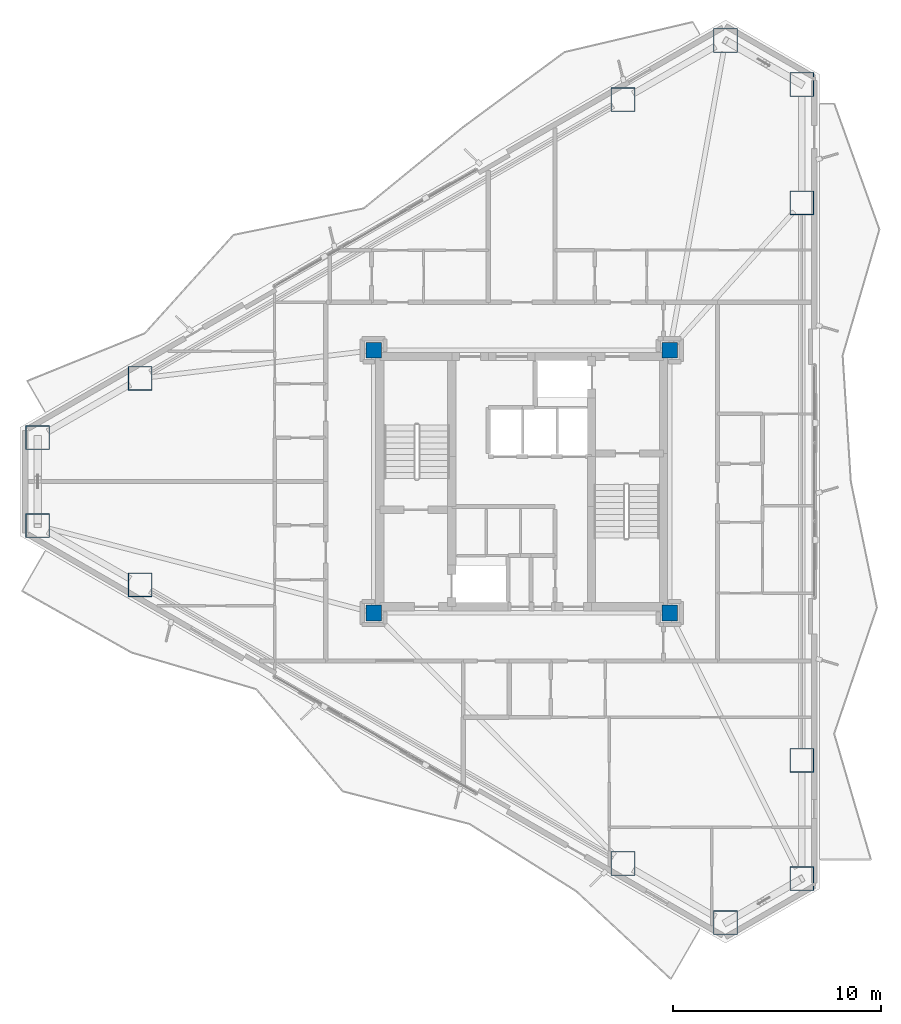
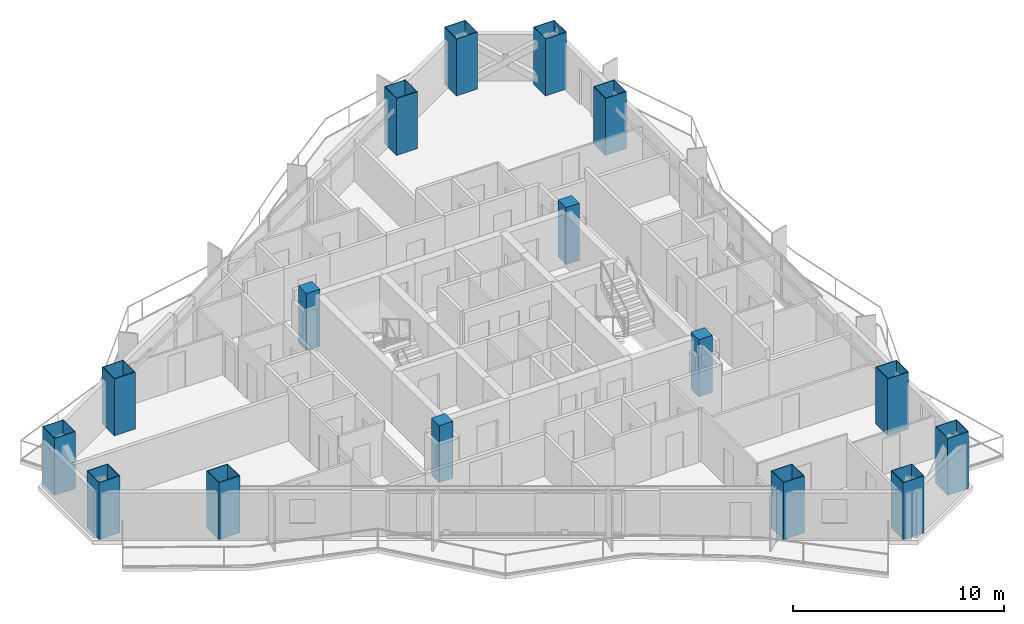
# One storey, part 1 of 22: 16 columns.
"""IFC4 building model written with IfcOpenShell, lengths in metres."""

import ifcopenshell
import ifcopenshell.guid

model = None  # the IFC model being written
_history = None  # IfcOwnerHistory: only IFC2X3 demands one
_inside = {}  # id of a spatial element -> (the spatial element, [elements in it])
_under = {}  # id of a project, library or spatial element -> (it, [spatial elements below it])
_declared = {}  # id of a project -> (the project, [libraries it declares])
_typed = {}  # id of a type object -> (the type object, [elements of that type])
_made_of = {}  # id of a material, layer set ... -> (it, [elements and type objects made of it])


def new_model(schema):
    """Start an empty IFC model of exactly this schema.

    Asked for "IFC4X3", IfcOpenShell would pick the latest addendum, in which some entities
    have other attributes; the version numbers below select the first issue.
    IFC2X3 requires an IfcOwnerHistory on every rooted entity: one is made here for all.
    """
    global model, _history
    if schema == "IFC4X3":
        model = ifcopenshell.file(schema_version=(4, 3, 0, 0))
    else:
        model = ifcopenshell.file(schema=schema)
    _inside.clear()
    _under.clear()
    _declared.clear()
    _typed.clear()
    _made_of.clear()
    _history = None
    if model.schema == "IFC2X3":
        org = make("IfcOrganization", Name="unknown")
        user = make(
            "IfcPersonAndOrganization",
            ThePerson=make("IfcPerson", FamilyName="unknown"),
            TheOrganization=org,
        )
        app = make(
            "IfcApplication",
            ApplicationDeveloper=org,
            Version="unknown",
            ApplicationFullName="unknown",
            ApplicationIdentifier="unknown",
        )
        _history = make(
            "IfcOwnerHistory",
            OwningUser=user,
            OwningApplication=app,
            ChangeAction="ADDED",
            CreationDate=0,
        )
    return model


def make(cls, **values):
    """One entity of the class cls with the attributes given. An attribute that is None is left unset."""
    return model.create_entity(
        cls, **{name: value for name, value in values.items() if value is not None}
    )


def rooted(cls, **values):
    """An entity with a GlobalId (a new one), such as an element, a storey or a relation."""
    return make(cls, GlobalId=ifcopenshell.guid.new(), OwnerHistory=_history, **values)


def si_unit(unit_type, name, prefix=None):
    """IfcSIUnit, for example si_unit("LENGTHUNIT", "METRE", prefix="MILLI")."""
    return make("IfcSIUnit", UnitType=unit_type, Prefix=prefix, Name=name)


def assignment(units):
    """IfcUnitAssignment: the units of a project."""
    return None if units is None else make("IfcUnitAssignment", Units=units)


def point(xyz):
    """IfcCartesianPoint."""
    return None if xyz is None else make("IfcCartesianPoint", Coordinates=xyz)


def direction(xyz):
    """IfcDirection."""
    return None if xyz is None else make("IfcDirection", DirectionRatios=xyz)


def frame(location, z_axis=None, x_axis=None):
    """IfcAxis2Placement3D, a coordinate frame: its origin and axes. An axis left out is left unset."""
    return make(
        "IfcAxis2Placement3D",
        Location=point(location),
        Axis=direction(z_axis),
        RefDirection=direction(x_axis),
    )


def frame_2d(location, x_axis=None):
    """IfcAxis2Placement2D, a coordinate frame in the plane: its origin and x axis."""
    return make(
        "IfcAxis2Placement2D", Location=point(location), RefDirection=direction(x_axis)
    )


def origin():
    """The frame at (0, 0, 0) with its axes left unset."""
    return frame((0.0, 0.0, 0.0))


def origin_2d():
    """The frame at (0, 0) in the plane with its x axis left unset."""
    return frame_2d((0.0, 0.0))


def place(relative_to, where):
    """IfcLocalPlacement: puts the frame where relative to a parent placement (None: the world)."""
    return make(
        "IfcLocalPlacement", PlacementRelTo=relative_to, RelativePlacement=where
    )


def context(
    kind, dimensions, precision=None, world=None, true_north=None, identifier=None
):
    """IfcGeometricRepresentationContext, for example the 3D "Model" context."""
    return make(
        "IfcGeometricRepresentationContext",
        ContextIdentifier=identifier,
        ContextType=kind,
        CoordinateSpaceDimension=dimensions,
        Precision=precision,
        WorldCoordinateSystem=world,
        TrueNorth=true_north,
    )


def subcontext(parent, identifier, kind, view, scale=None):
    """IfcGeometricRepresentationSubContext, for example "Body" below "Model"."""
    return make(
        "IfcGeometricRepresentationSubContext",
        ContextIdentifier=identifier,
        ContextType=kind,
        ParentContext=parent,
        TargetScale=scale,
        TargetView=view,
    )


def project(units=None, contexts=None):
    """IfcProject with its units and contexts."""
    return rooted(
        "IfcProject",
        Name="project",
        RepresentationContexts=contexts,
        UnitsInContext=assignment(units),
    )


def spatial(cls, under=None, at=None, **own):
    """A site, building, storey or space (cls), placed at a placement, below another one or the project."""
    s = rooted(cls, ObjectPlacement=at, **own)
    if under is not None:
        _under.setdefault(under.id(), (under, []))[1].append(s)
    return s


def profile(cls, at=None, kind="AREA", **sizes):
    """A parametric profile (cls). Its sizes go by their IFC names, for example OverallWidth=200.0."""
    return make(cls, ProfileType=kind, Position=at, **sizes)


def rectangle(**sizes):
    """IfcRectangleProfileDef."""
    return profile("IfcRectangleProfileDef", **sizes)


def hollow_rectangle(**sizes):
    """IfcRectangleHollowProfileDef."""
    return profile("IfcRectangleHollowProfileDef", **sizes)


def extrude(swept, where, along, depth):
    """IfcExtrudedAreaSolid: the profile swept, set in the frame where, extruded along a direction by depth."""
    return make(
        "IfcExtrudedAreaSolid",
        SweptArea=swept,
        Position=where,
        ExtrudedDirection=direction(along),
        Depth=depth,
    )


def shape(context_of_items, identifier, shape_type, items):
    """IfcShapeRepresentation: the items that make up one representation, for example the "Body"."""
    return make(
        "IfcShapeRepresentation",
        ContextOfItems=context_of_items,
        RepresentationIdentifier=identifier,
        RepresentationType=shape_type,
        Items=items,
    )


def material(Name=None, Category=None):
    """IfcMaterial."""
    return make("IfcMaterial", Name=Name, Category=Category)


def material_profile(
    of_material, cross_section, Name=None, Category=None, Priority=None
):
    """IfcMaterialProfile: a cross section and its material."""
    return make(
        "IfcMaterialProfile",
        Name=Name,
        Material=of_material,
        Profile=cross_section,
        Priority=Priority,
        Category=Category,
    )


def profile_set(profiles, Name=None, composite=None):
    """IfcMaterialProfileSet."""
    return make(
        "IfcMaterialProfileSet",
        Name=Name,
        MaterialProfiles=profiles,
        CompositeProfile=composite,
    )


def made_of(thing, what):
    """Note that an element or type object is made of a material, layer set ...; save() writes the relation."""
    if what is not None:
        _made_of.setdefault(what.id(), (what, []))[1].append(thing)
    return thing


def type_object(cls, material=None, **own):
    """A type object (cls), such as IfcWallType, which elements share."""
    return made_of(rooted(cls, **own), material)


def element(
    cls,
    number,
    at=None,
    inside=None,
    cuts=None,
    type_object=None,
    material=None,
    context=None,
    identifier="Body",
    shape_type=None,
    held_by="IfcProductDefinitionShape",
    body=None,
    shapes=None,
    **own,
):
    """One element of the class cls, such as IfcWall. Its Tag is "e" and its number.

    at: its placement. inside: the storey or other place that contains it. cuts: it is an
    opening in that element (IfcRelVoidsElement). A single representation is given by context,
    identifier, shape_type and body (its items); several are given by shapes. held_by: the class
    of the entity that holds the representations. save() writes the other relations.
    """
    e = rooted(cls, Tag="e%d" % number, ObjectPlacement=at, **own)
    if body is not None:
        shapes = [shape(context, identifier, shape_type, body)]
    if shapes is not None:
        e.Representation = make(held_by, Representations=shapes)
    if inside is not None:
        _inside.setdefault(inside.id(), (inside, []))[1].append(e)
    if cuts is not None:
        rooted(
            "IfcRelVoidsElement", RelatingBuildingElement=cuts, RelatedOpeningElement=e
        )
    if type_object is not None:
        _typed.setdefault(type_object.id(), (type_object, []))[1].append(e)
    return made_of(e, material)


def aggregate(whole, parts):
    """IfcRelAggregates: a whole, such as a stair, and the parts it consists of."""
    return rooted("IfcRelAggregates", RelatingObject=whole, RelatedObjects=parts)


def save(model, path):
    """Write the relations noted so far, then the file.

    IfcRelAggregates (storeys below a building ...), IfcRelContainedInSpatialStructure (elements
    in a storey), IfcRelDefinesByType, IfcRelAssociatesMaterial and IfcRelDeclares: one each for
    every whole, place, type object, material and project.
    """
    for whole, parts in _under.values():
        aggregate(whole, parts)
    for where, things in _inside.values():
        rooted(
            "IfcRelContainedInSpatialStructure",
            RelatedElements=things,
            RelatingStructure=where,
        )
    for kind, things in _typed.values():
        rooted("IfcRelDefinesByType", RelatedObjects=things, RelatingType=kind)
    for what, things in _made_of.values():
        rooted("IfcRelAssociatesMaterial", RelatedObjects=things, RelatingMaterial=what)
    for by, libraries in _declared.values():
        rooted("IfcRelDeclares", RelatingContext=by, RelatedDefinitions=libraries)
    model.write(path)


model = new_model("IFC4")

# Units and contexts
model_context = context("Model", 3, precision=1e-05, world=origin(), true_north=direction((0.0, 1.0)))
body_context = subcontext(model_context, "Body", "Model", "MODEL_VIEW")
ifc_project = project(units=[si_unit("LENGTHUNIT", "METRE"), si_unit("AREAUNIT", "SQUARE_METRE"), si_unit("VOLUMEUNIT", "CUBIC_METRE"), si_unit("PLANEANGLEUNIT", "RADIAN"), si_unit("MASSUNIT", "GRAM", prefix="KILO")], contexts=[model_context])

# Site, building, storey
site_placement = place(None, origin())
site = spatial("IfcSite", under=ifc_project, at=site_placement, CompositionType="ELEMENT")
building_placement = place(site_placement, origin())
building = spatial("IfcBuilding", under=site, at=building_placement, Name="Mersakhor Tower and Convention Hall", CompositionType="ELEMENT")
storey_placement = place(building_placement, frame((0.0, 0.0, 103.199951171875)))
storey = spatial("IfcBuildingStorey", under=building, at=storey_placement, Name="L28", CompositionType="ELEMENT", Elevation=103.199951171875)

# Columns
ifc_material_1 = material(Name="Concrete C60/75 in S460M steel box", Category="concrete")
ifc_material_profile_1 = material_profile(ifc_material_1, hollow_rectangle(XDim=1.14990234375, YDim=1.14990234375, WallThickness=0.031982421875, at=origin_2d()), Name="SHS 1150x1150x32")
ifc_profile_set_1 = profile_set([ifc_material_profile_1], Name="Concrete C60/75 in S460M steel box")
column_type_1 = type_object("IfcColumnType", Name="COL-CFT-1150", PredefinedType="COLUMN", material=ifc_profile_set_1)
for number, where, z_axis, x_axis, name in (
    (1, (5.78662109375, 28.86083984375, 0.0), (0.0, 0.0, 1.0), (1.0, 0.0, 0.0), "L28 Perimeter Mega-Column MC-01"),
    (2, (10.702392578125, 31.698974609375, 0.0), (0.0, 0.0, 1.0), (1.0, 0.0, 0.0), "L28 Perimeter Mega-Column MC-02"),
    (3, (33.86279296875, 45.070556640625, 0.0), (0.0, 0.0, 1.0), (1.0, 0.0, 0.0), "L28 Perimeter Mega-Column MC-03"),
    (4, (38.77880859375, 47.90869140625, 0.0), (0.0, 0.0, 1.0), (1.0, 0.0, 0.0), "L28 Perimeter Mega-Column MC-04"),
    (5, (42.4345703125, 45.798095703125, 0.0), (0.0, 0.0, 1.0), (1.0, 0.0, 0.0), "L28 Perimeter Mega-Column MC-05"),
    (6, (42.4345703125, 40.12158203125, 0.0), (0.0, 0.0, 1.0), (1.0, 0.0, 0.0), "L28 Perimeter Mega-Column MC-06"),
    (7, (42.4345703125, 13.37841796875, 0.0), (0.0, 0.0, 1.0), (1.0, 0.0, 0.0), "L28 Perimeter Mega-Column MC-07"),
    (8, (42.4345703125, 7.701904296875, 0.0), (0.0, 0.0, 1.0), (1.0, 0.0, 0.0), "L28 Perimeter Mega-Column MC-08"),
    (9, (38.77880859375, 5.59130859375, 0.0), (0.0, 0.0, 1.0), (1.0, 0.0, 0.0), "L28 Perimeter Mega-Column MC-09"),
    (10, (33.86279296875, 8.429443359375, 0.0), (0.0, 0.0, 1.0), (1.0, 0.0, 0.0), "L28 Perimeter Mega-Column MC-10"),
    (11, (10.702392578125, 21.801025390625, 0.0), (0.0, 0.0, 1.0), (1.0, 0.0, 0.0), "L28 Perimeter Mega-Column MC-11"),
    (12, (5.78662109375, 24.63916015625, 0.0), (0.0, 0.0, 1.0), (1.0, 0.0, 0.0), "L28 Perimeter Mega-Column MC-12"),
):
    element("IfcColumn", number, at=place(storey_placement, frame(where, z_axis=z_axis, x_axis=x_axis)), inside=storey, type_object=column_type_1, Name=name, PredefinedType="COLUMN", context=body_context, shape_type="SweptSolid", body=[
        extrude(hollow_rectangle(XDim=1.14990234375, YDim=1.14990234375, WallThickness=0.031982421875, at=origin_2d()), origin(), (0.0, 0.0, 1.0), 3.300048828125),
    ])
ifc_material_2 = material(Name="Concrete C50/60", Category="concrete")
ifc_material_profile_2 = material_profile(ifc_material_2, rectangle(XDim=0.75, YDim=0.75, at=origin_2d()), Name="RC 750x750")
ifc_profile_set_2 = profile_set([ifc_material_profile_2], Name="Concrete C50/60")
column_type_2 = type_object("IfcColumnType", Name="COL-RC-750", PredefinedType="COLUMN", material=ifc_profile_set_2)
for number, where, z_axis, x_axis, name in (
    (13, (21.89990234375, 20.449951171875, 0.0), (0.0, 0.0, 1.0), (1.0, 0.0, 0.0), "L28 Core Corner Column CC-1"),
    (14, (21.89990234375, 33.050048828125, 0.0), (0.0, 0.0, 1.0), (1.0, 0.0, 0.0), "L28 Core Corner Column CC-2"),
    (15, (36.10009765625, 33.050048828125, 0.0), (0.0, 0.0, 1.0), (1.0, 0.0, 0.0), "L28 Core Corner Column CC-3"),
    (16, (36.10009765625, 20.449951171875, 0.0), (0.0, 0.0, 1.0), (1.0, 0.0, 0.0), "L28 Core Corner Column CC-4"),
):
    element("IfcColumn", number, at=place(storey_placement, frame(where, z_axis=z_axis, x_axis=x_axis)), inside=storey, type_object=column_type_2, Name=name, PredefinedType="COLUMN", context=body_context, shape_type="SweptSolid", body=[
        extrude(rectangle(XDim=0.75, YDim=0.75, at=origin_2d()), origin(), (0.0, 0.0, 1.0), 3.300048828125),
    ])

save(model, "model.ifc")
